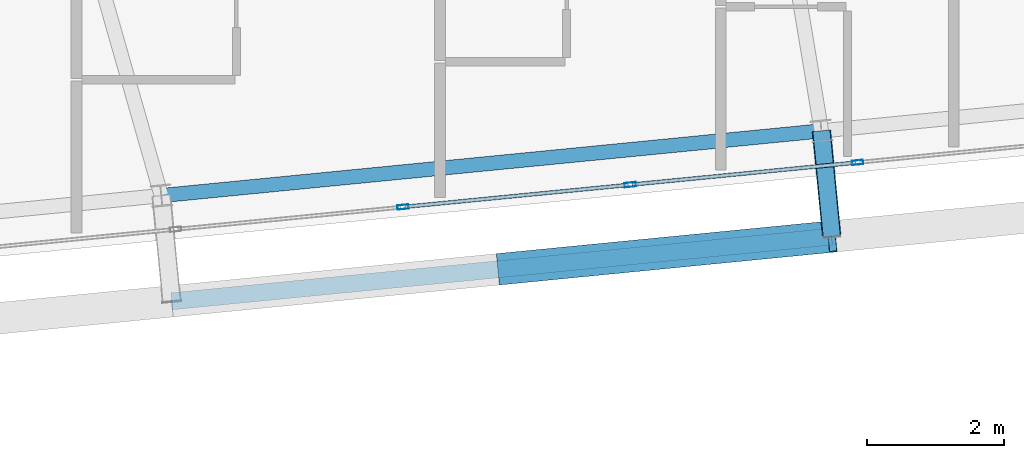
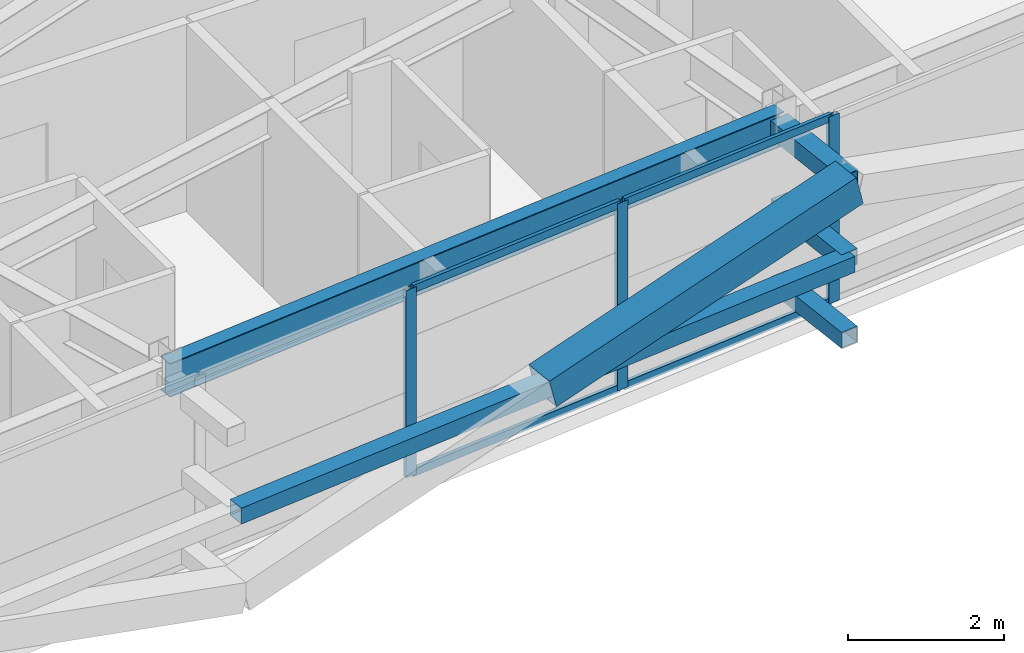
# One storey, part 18 of 53: 12 members, 1 beam, 1 element without a shape of its own.
"""IFC4 building model written with IfcOpenShell, lengths in metres."""

from ifc_helpers import new_model, si_unit, direction, frame, origin, origin_2d, place, context, subcontext, project, spatial, hollow_rectangle, i_section, extrude, source, transform, mapped, material, layer, layer_set, material_profile, profile_set, type_object, element, aggregate, save


model = new_model("IFC4")

# Units and contexts
model_context = context("Model", 3, precision=1e-05, world=origin(), true_north=direction((0.0, 1.0)))
body_context = subcontext(model_context, "Body", "Model", "MODEL_VIEW")
ifc_project = project(units=[si_unit("LENGTHUNIT", "METRE"), si_unit("AREAUNIT", "SQUARE_METRE"), si_unit("VOLUMEUNIT", "CUBIC_METRE"), si_unit("PLANEANGLEUNIT", "RADIAN"), si_unit("MASSUNIT", "GRAM", prefix="KILO")], contexts=[model_context])

# Site, building, storey
site_placement = place(None, origin())
site = spatial("IfcSite", under=ifc_project, at=site_placement, CompositionType="ELEMENT")
building_placement = place(site_placement, origin())
building = spatial("IfcBuilding", under=site, at=building_placement, Name="Taldren Reach Tower", CompositionType="ELEMENT")
storey_placement = place(building_placement, frame((0.0, 0.0, 71.39990234375)))
storey = spatial("IfcBuildingStorey", under=building, at=storey_placement, Name="L21", CompositionType="ELEMENT", Elevation=71.39990234375)

# Members
ifc_material_1 = material(Name="Steel Gr 450 (C450L0)", Category="steel")
ifc_material_profile_1 = material_profile(ifc_material_1, hollow_rectangle(XDim=0.27490234375, YDim=0.27490234375, WallThickness=0.00927734375, at=origin_2d()), Name="275x275x9.3SHS")
ifc_profile_set_1 = profile_set([ifc_material_profile_1], Name="Steel Gr 450 (C450L0)")
member_type_1 = type_object("IfcMemberType", Name="MB-TIE273", PredefinedType="STRUT", material=ifc_profile_set_1)
shared_shape_1 = source(origin(), body_context, "Body", "SweptSolid", [
    extrude(hollow_rectangle(XDim=0.27490234375, YDim=0.27490234375, WallThickness=0.00927734375, at=origin_2d()), origin(), (0.0, 0.0, 1.0), 1.5498046875),
])
member_1_placement = place(storey_placement, frame((53.469482421875, 3.698486328125, 2.650146484375), z_axis=(0.097507178627, -0.995234821595, 0.0), x_axis=(0.995234821595, 0.097507178627, 0.0)))
element("IfcMember", 1, at=member_1_placement, inside=storey, type_object=member_type_1, Name="Exoskeleton diaphragm tie strut B2-S5 L21", PredefinedType="STRUT", context=body_context, shape_type="MappedRepresentation", body=[
    mapped(shared_shape_1, transform((0.0, 0.0, 0.0), scale=1.0)),
])
ifc_material_2 = material(Name="Steel Gr 350 (C350L0)", Category="steel")
ifc_material_profile_2 = material_profile(ifc_material_2, hollow_rectangle(XDim=0.25, YDim=0.25, WallThickness=0.010009765625, at=origin_2d()), Name="250x250x10.0SHS")
ifc_profile_set_2 = profile_set([ifc_material_profile_2], Name="Steel Gr 350 (C350L0)")
member_type_2 = type_object("IfcMemberType", Name="MB-POST250", PredefinedType="POST", material=ifc_profile_set_2)
shared_shape_2 = source(origin(), body_context, "Body", "SweptSolid", [
    extrude(hollow_rectangle(XDim=0.25, YDim=0.25, WallThickness=0.010009765625, at=origin_2d()), origin(), (0.0, 0.0, 1.0), 1.5498046875),
])
for number, where, z_axis, x_axis, name in (
    (2, (53.469482421875, 3.698486328125, 0.22021484375), (0.097507178627, -0.995234821595, 0.0), (0.995234821595, 0.097507178627, 0.0), "Exoskeleton base diaphragm tie strut B2-S5 L21"),
    (3, (53.469482421875, 3.698486328125, 1.43505859375), (0.097507178627, -0.995234821595, 0.0), (0.995234821595, 0.097507178627, 0.0), "Exoskeleton mid-tier diaphragm tie B2-S5 L21"),
):
    element("IfcMember", number, at=place(storey_placement, frame(where, z_axis=z_axis, x_axis=x_axis)), inside=storey, type_object=member_type_2, Name=name, PredefinedType="POST", context=body_context, shape_type="MappedRepresentation", body=[
        mapped(shared_shape_2, transform((0.0, 0.0, 0.0), scale=1.0)),
    ])

# Beam
ifc_material_3 = material(Name="Steel Gr 350 (350PLUS)", Category="steel")
ifc_material_profile_3 = material_profile(ifc_material_3, i_section(OverallWidth=0.208984375, OverallDepth=0.528076171875, WebThickness=0.009521484375, FlangeThickness=0.01318359375, at=origin_2d()), Name="530UB82.0")
ifc_profile_set_3 = profile_set([ifc_material_profile_3], Name="Steel Gr 350 (350PLUS)")
beam_type = type_object("IfcBeamType", Name="SP-UB530B", PredefinedType="SPANDREL", material=ifc_profile_set_3)
shared_shape_3 = source(origin(), body_context, "Body", "SweptSolid", [
    extrude(i_section(OverallWidth=0.208984375, OverallDepth=0.528076171875, WebThickness=0.009521484375, FlangeThickness=0.01318359375, at=origin_2d()), origin(), (0.0, 0.0, 1.0), 9.68017578125),
])
beam_placement = place(storey_placement, frame((43.83544921875, 2.75390625, 2.666015625), z_axis=(0.995227852805, 0.097578281404, 0.0), x_axis=(-0.097578281404, 0.995227852805, 0.0)))
element("IfcBeam", 4, at=beam_placement, inside=storey, type_object=beam_type, Name="Perimeter spandrel B2 S4-S5 L21", PredefinedType="SPANDREL", context=body_context, shape_type="MappedRepresentation", body=[
    mapped(shared_shape_3, transform((0.0, 0.0, 0.0), scale=1.0)),
])

# Members
ifc_material_profile_4 = material_profile(ifc_material_1, hollow_rectangle(XDim=0.4599609375, YDim=0.4599609375, WallThickness=0.01611328125, at=origin_2d()), Name="460x460x16.0SHS")
ifc_profile_set_4 = profile_set([ifc_material_profile_4], Name="Steel Gr 450 (C450L0)")
member_type_3 = type_object("IfcMemberType", Name="MB-EXO457", PredefinedType="BRACE", material=ifc_profile_set_4)
shared_shape_4 = source(origin(), body_context, "Body", "SweptSolid", [
    extrude(hollow_rectangle(XDim=0.4599609375, YDim=0.4599609375, WallThickness=0.01611328125, at=origin_2d()), origin(), (0.0, 0.0, 1.0), 4.990234375),
])
member_2_placement = place(storey_placement, frame((48.8037109375, 1.68359375, 1.43505859375), z_axis=(0.965271056716, 0.094667992638, 0.243494883389), x_axis=(-0.097605711627, 0.995225162995, 0.0)))
element("IfcMember", 5, at=member_2_placement, inside=storey, type_object=member_type_3, Name="Exoskeleton Diagrid Brace B2-S4 L21", PredefinedType="BRACE", context=body_context, shape_type="MappedRepresentation", body=[
    mapped(shared_shape_4, transform((0.0, 0.0, 0.0), scale=1.0)),
])
shared_shape_5 = source(origin(), body_context, "Body", "SweptSolid", [
    extrude(hollow_rectangle(XDim=0.25, YDim=0.25, WallThickness=0.010009765625, at=origin_2d()), origin(), (0.0, 0.0, 1.0), 9.679931640625),
])
member_3_placement = place(storey_placement, frame((43.98681640625, 1.21142578125, 1.43505859375), z_axis=(0.995227612658, 0.097580730699, 0.0), x_axis=(-0.097580730699, 0.995227612658, 0.0)))
element("IfcMember", 6, at=member_3_placement, inside=storey, type_object=member_type_2, Name="Exoskeleton mid-height ring chord B2-S4 L21", PredefinedType="POST", context=body_context, shape_type="MappedRepresentation", body=[
    mapped(shared_shape_5, transform((0.0, 0.0, 0.0), scale=1.0)),
])

# Curtain wall, members
ifc_material_4 = material(Name="Aluminium and Low-E Glass Unitised System", Category="aluminium")
ifc_layer = layer(ifc_material_4, 0.159912109375)
ifc_layer_set = layer_set([ifc_layer], Name="Aluminium and Low-E Glass Unitised System")
curtain_wall_type = type_object("IfcCurtainWallType", Name="CW-SYS-3", PredefinedType="NOTDEFINED", material=ifc_layer_set)
curtain_wall_placement = place(storey_placement, origin())
curtain_wall = element("IfcCurtainWall", 7, at=curtain_wall_placement, inside=storey, type_object=curtain_wall_type, Name="Unitised curtain wall CW-L21-S", PredefinedType="NOTDEFINED")
ifc_material_5 = material(Name="Anodised Aluminium 6063-T6", Category="aluminium")
ifc_material_profile_5 = material_profile(ifc_material_5, hollow_rectangle(XDim=0.06494140625, YDim=0.1650390625, WallThickness=0.00390625, at=origin_2d()), Name="ALU-165x65x4RHS")
ifc_profile_set_5 = profile_set([ifc_material_profile_5], Name="Anodised Aluminium 6063-T6")
member_type_4 = type_object("IfcMemberType", Name="CW-MUL-165", PredefinedType="MULLION", material=ifc_profile_set_5)
shared_shape_6 = source(origin(), body_context, "Body", "SweptSolid", [
    extrude(hollow_rectangle(XDim=0.06494140625, YDim=0.1650390625, WallThickness=0.00390625, at=origin_2d()), origin(), (0.0, 0.0, 1.0), 2.93017578125),
])
member_4_placement = place(storey_placement, frame((47.362060546875, 2.587158203125, 0.0), z_axis=(0.0, 0.0, 1.0), x_axis=(-0.097582999046, 0.995227390247, 0.0)))
member_4 = element("IfcMember", 8, at=member_4_placement, type_object=member_type_4, Name="CW-3 mullion 11", PredefinedType="MULLION", context=body_context, shape_type="MappedRepresentation", body=[
    mapped(shared_shape_6, transform((0.0, 0.0, 0.0), scale=1.0)),
])
member_5_placement = place(storey_placement, frame((50.679443359375, 2.91259765625, 0.0), z_axis=(0.0, 0.0, 1.0), x_axis=(-0.097582999046, 0.995227390247, 0.0)))
member_5 = element("IfcMember", 9, at=member_5_placement, type_object=member_type_4, Name="CW-3 mullion 12", PredefinedType="MULLION", context=body_context, shape_type="MappedRepresentation", body=[
    mapped(shared_shape_6, transform((0.0, 0.0, 0.0), scale=1.0)),
])
member_6_placement = place(storey_placement, frame((53.996826171875, 3.23779296875, 0.0), z_axis=(0.0, 0.0, 1.0), x_axis=(-0.097582999046, 0.995227390247, 0.0)))
member_6 = element("IfcMember", 10, at=member_6_placement, type_object=member_type_4, Name="CW-3 mullion 13", PredefinedType="MULLION", context=body_context, shape_type="MappedRepresentation", body=[
    mapped(shared_shape_6, transform((0.0, 0.0, 0.0), scale=1.0)),
])
ifc_material_profile_6 = material_profile(ifc_material_5, hollow_rectangle(XDim=0.054931640625, YDim=0.1201171875, WallThickness=0.0029296875, at=origin_2d()), Name="ALU-120x55x3RHS")
ifc_profile_set_6 = profile_set([ifc_material_profile_6], Name="Anodised Aluminium 6063-T6")
member_type_5 = type_object("IfcMemberType", Name="CW-TRN-135", PredefinedType="USERDEFINED", material=ifc_profile_set_6)
shared_shape_7 = source(origin(), body_context, "Body", "SweptSolid", [
    extrude(hollow_rectangle(XDim=0.054931640625, YDim=0.1201171875, WallThickness=0.0029296875, at=origin_2d()), origin(), (0.0, 0.0, 1.0), 3.268310546875),
])
member_7_placement = place(storey_placement, frame((47.394287109375, 2.59033203125, 0.027587890625), z_axis=(0.995222549564, 0.097632355496, 0.0), x_axis=(-0.097632355496, 0.995222549564, 0.0)))
member_7 = element("IfcMember", 11, at=member_7_placement, type_object=member_type_5, Name="CW-3 transom 11.1", ObjectType="TRANSOM", PredefinedType="USERDEFINED", context=body_context, shape_type="MappedRepresentation", body=[
    mapped(shared_shape_7, transform((0.0, 0.0, 0.0), scale=1.0)),
])
member_8_placement = place(storey_placement, frame((47.394287109375, 2.59033203125, 2.902587890625), z_axis=(0.995222549564, 0.097632355496, 0.0), x_axis=(-0.097632355496, 0.995222549564, 0.0)))
member_8 = element("IfcMember", 12, at=member_8_placement, type_object=member_type_5, Name="CW-3 transom 11.2", ObjectType="TRANSOM", PredefinedType="USERDEFINED", context=body_context, shape_type="MappedRepresentation", body=[
    mapped(shared_shape_7, transform((0.0, 0.0, 0.0), scale=1.0)),
])
shared_shape_8 = source(origin(), body_context, "Body", "SweptSolid", [
    extrude(hollow_rectangle(XDim=0.054931640625, YDim=0.1201171875, WallThickness=0.0029296875, at=origin_2d()), origin(), (0.0, 0.0, 1.0), 3.2685546875),
])
member_9_placement = place(storey_placement, frame((50.711669921875, 2.915771484375, 0.027587890625), z_axis=(0.99523051601, 0.097551114824, 0.0), x_axis=(-0.097551114824, 0.99523051601, 0.0)))
member_9 = element("IfcMember", 13, at=member_9_placement, type_object=member_type_5, Name="CW-3 transom 12.1", ObjectType="TRANSOM", PredefinedType="USERDEFINED", context=body_context, shape_type="MappedRepresentation", body=[
    mapped(shared_shape_8, transform((0.0, 0.0, 0.0), scale=1.0)),
])
member_10_placement = place(storey_placement, frame((50.711669921875, 2.915771484375, 2.902587890625), z_axis=(0.99523051601, 0.097551114824, 0.0), x_axis=(-0.097551114824, 0.99523051601, 0.0)))
member_10 = element("IfcMember", 14, at=member_10_placement, type_object=member_type_5, Name="CW-3 transom 12.2", ObjectType="TRANSOM", PredefinedType="USERDEFINED", context=body_context, shape_type="MappedRepresentation", body=[
    mapped(shared_shape_8, transform((0.0, 0.0, 0.0), scale=1.0)),
])
aggregate(curtain_wall, [member_4, member_5, member_6, member_7, member_8, member_9, member_10])

save(model, "model.ifc")
